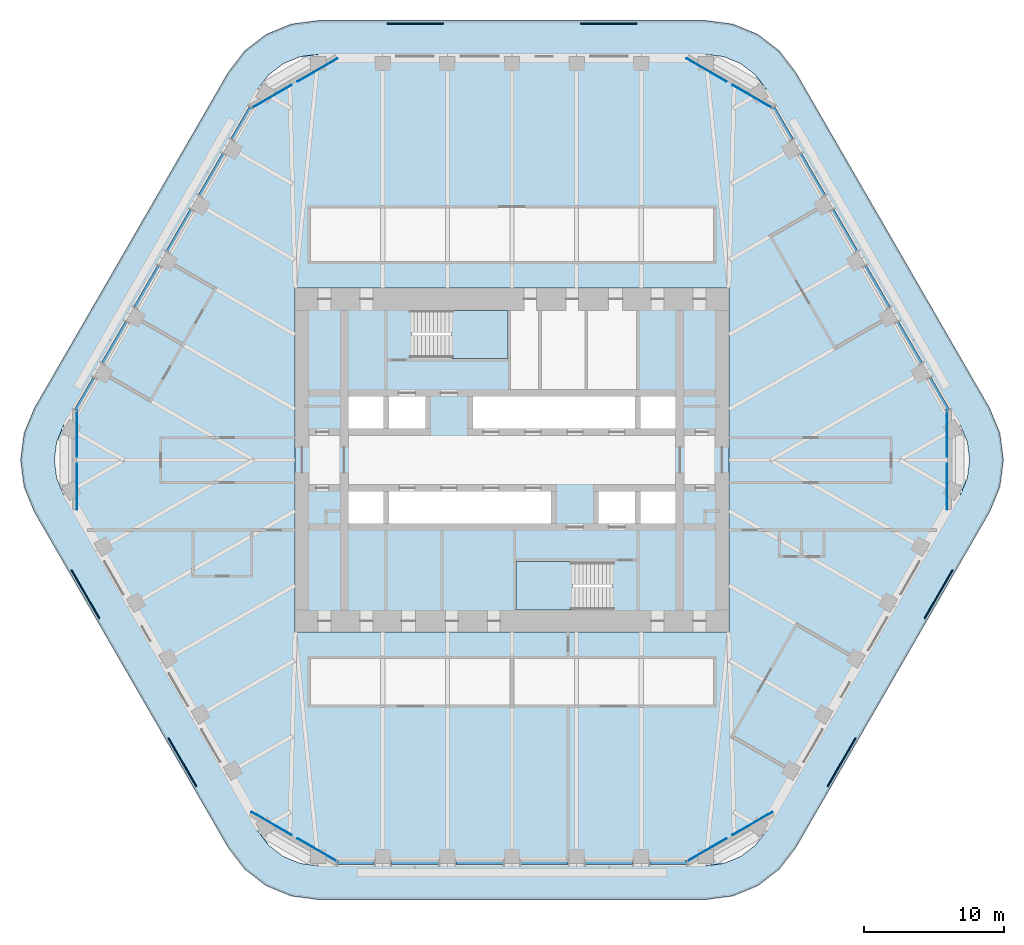
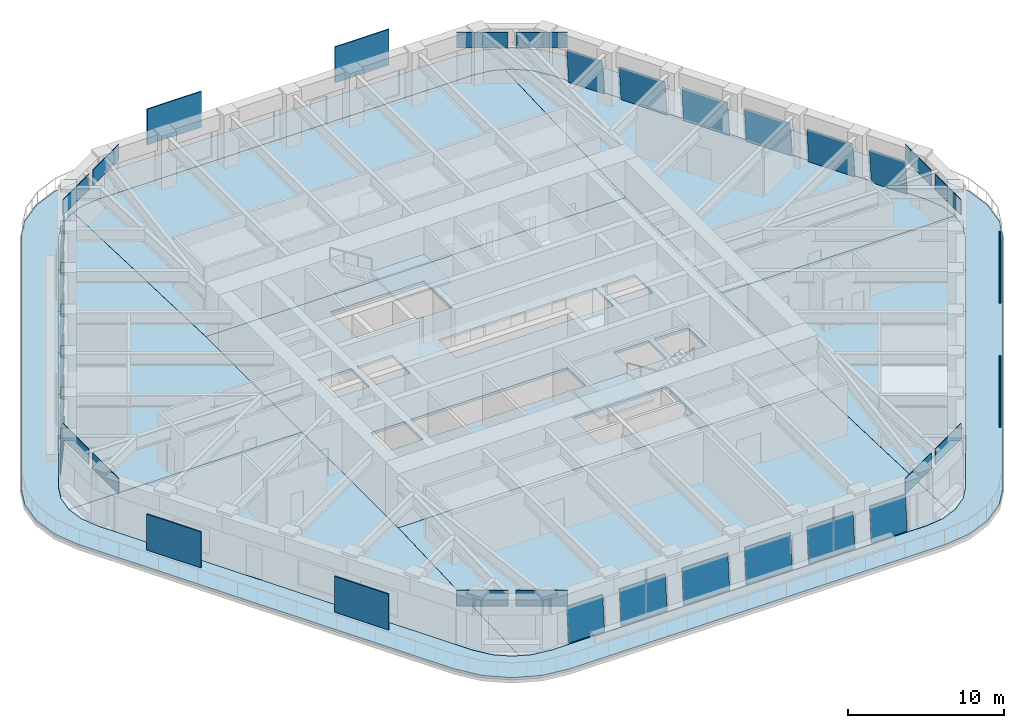
# One storey, part 13 of 20: 36 plates, 10 slabs, 20 elements without a shape of their own.
"""IFC4 building model written with IfcOpenShell, lengths in metres."""

from ifc_helpers import new_model, si_unit, direction, frame, origin, origin_2d, place, context, subcontext, project, spatial, polyline, rectangle, outline, extrude, material, layer, layer_set, type_object, element, aggregate, save


model = new_model("IFC4")

# Units and contexts
model_context = context("Model", 3, precision=1e-05, world=origin(), true_north=direction((0.0, 1.0)))
body_context = subcontext(model_context, "Body", "Model", "MODEL_VIEW")
ifc_project = project(units=[si_unit("LENGTHUNIT", "METRE"), si_unit("AREAUNIT", "SQUARE_METRE"), si_unit("VOLUMEUNIT", "CUBIC_METRE"), si_unit("PLANEANGLEUNIT", "RADIAN"), si_unit("MASSUNIT", "GRAM", prefix="KILO")], contexts=[model_context])

# Site, building, storey
site_placement = place(None, origin())
site = spatial("IfcSite", under=ifc_project, at=site_placement, CompositionType="ELEMENT")
building_placement = place(site_placement, origin())
building = spatial("IfcBuilding", under=site, at=building_placement, Name="Tarfa Lantern Tower", CompositionType="ELEMENT")
storey_placement = place(building_placement, frame((0.0, 0.0, 286.89990234375)))
storey = spatial("IfcBuildingStorey", under=building, at=storey_placement, Name="L65", CompositionType="ELEMENT", Elevation=286.89990234375)

# Slab
ifc_material_1 = material(Name="Concrete C40/50", Category="concrete")
ifc_layer_1 = layer(ifc_material_1, 0.199951171875)
ifc_layer_set_1 = layer_set([ifc_layer_1], Name="BS2 BALCONY SLAB 200")
slab_type_1 = type_object("IfcSlabType", Name="BS2 BALCONY SLAB 200", PredefinedType="FLOOR", material=ifc_layer_set_1)
slab_1_placement = place(storey_placement, frame((0.0, 0.0, -0.199951171875)))
element("IfcSlab", 1, at=slab_1_placement, inside=storey, type_object=slab_type_1, Name="Balcony L65", PredefinedType="FLOOR", context=body_context, shape_type="SweptSolid", body=[
    extrude(outline(polyline([(34.121337890625, 3.699951171875), (20.264892578125, 27.699951171875), (19.089111328125, 29.232666015625), (17.556396484375, 30.40869140625), (15.771728515625, 31.14794921875), (13.8564453125, 31.39990234375), (-13.8564453125, 31.39990234375), (-15.771728515625, 31.14794921875), (-17.556396484375, 30.40869140625), (-19.089111328125, 29.232666015625), (-20.264892578125, 27.699951171875), (-34.121337890625, 3.699951171875), (-34.860595703125, 1.915283203125), (-35.11279296875, 0.0), (-34.860595703125, -1.915283203125), (-34.121337890625, -3.699951171875), (-20.264892578125, -27.699951171875), (-19.089111328125, -29.232666015625), (-17.556396484375, -30.40869140625), (-15.771728515625, -31.14794921875), (-13.8564453125, -31.39990234375), (13.8564453125, -31.39990234375), (15.771728515625, -31.14794921875), (17.556396484375, -30.40869140625), (19.089111328125, -29.232666015625), (20.264892578125, -27.699951171875), (34.121337890625, -3.699951171875), (34.860595703125, -1.915283203125), (35.11279296875, 0.0), (34.860595703125, 1.915283203125), (34.121337890625, 3.699951171875)]), holes=[polyline([(32.04296875, 2.5), (18.1865234375, 26.5), (17.391845703125, 27.53564453125), (16.3564453125, 28.330078125), (15.150390625, 28.82958984375), (13.8564453125, 29.0), (-13.8564453125, 29.0), (-15.150390625, 28.82958984375), (-16.3564453125, 28.330078125), (-17.391845703125, 27.53564453125), (-18.1865234375, 26.5), (-32.04296875, 2.5), (-32.54248046875, 1.294189453125), (-32.712890625, 0.0), (-32.54248046875, -1.294189453125), (-32.04296875, -2.5), (-18.1865234375, -26.5), (-17.391845703125, -27.53564453125), (-16.3564453125, -28.330078125), (-15.150390625, -28.82958984375), (-13.8564453125, -29.0), (13.8564453125, -29.0), (15.150390625, -28.82958984375), (16.3564453125, -28.330078125), (17.391845703125, -27.53564453125), (18.1865234375, -26.5), (32.04296875, -2.5), (32.54248046875, -1.294189453125), (32.712890625, 0.0), (32.54248046875, 1.294189453125), (32.04296875, 2.5)])]), origin(), (0.0, 0.0, 1.0), 0.199951171875),
])

# Curtain wall, plate
ifc_material_2 = material(Name="Aluminium framed curtain wall", Category="aluminium")
curtain_wall_type = type_object("IfcCurtainWallType", Name="CW3 CANTED GLAZING HIGH ZONE 2800", PredefinedType="USERDEFINED", material=ifc_material_2)
curtain_wall_1_placement = place(storey_placement, origin())
curtain_wall_1 = element("IfcCurtainWall", 2, at=curtain_wall_1_placement, inside=storey, type_object=curtain_wall_type, Name="CW3 NE L65", ObjectType="CURTAIN WALL", PredefinedType="USERDEFINED")
ifc_material_3 = material(Name="Laminated double glazing", Category="glass")
ifc_layer_2 = layer(ifc_material_3, 0.028076171875)
ifc_layer_set_2 = layer_set([ifc_layer_2], Name="CWP1 DOUBLE GLAZED PANEL")
plate_type_1 = type_object("IfcPlateType", Name="CWP1 DOUBLE GLAZED PANEL", PredefinedType="CURTAIN_PANEL", material=ifc_layer_set_2)
plate_1_placement = place(storey_placement, frame((31.27392578125, 3.632080078125, 0.0), z_axis=(0.862596006768, 0.498013045463, 0.08894456508), x_axis=(-0.499995010144, 0.866028284653, 3.548924e-06)))
plate_1 = element("IfcPlate", 3, at=plate_1_placement, type_object=plate_type_1, Name="CW3 panel 1.1", PredefinedType="CURTAIN_PANEL", context=body_context, shape_type="SweptSolid", body=[
    extrude(outline(polyline([(0.0, 0.0), (2.63900483458552, 0.0), (2.639010033574038, 2.7459815404063015), (0.00012726808279123097, 2.7460003457631657), (0.0, 0.0)])), origin(), (0.0, 0.0, -1.0), 0.028076171875),
])
aggregate(curtain_wall_1, [plate_1])

curtain_wall_2_placement = place(storey_placement, origin())
curtain_wall_2 = element("IfcCurtainWall", 4, at=curtain_wall_2_placement, inside=storey, type_object=curtain_wall_type, Name="CW3 NE L65", ObjectType="CURTAIN WALL", PredefinedType="USERDEFINED")
plate_2_placement = place(storey_placement, frame((29.33935546875, 6.982666015625, 0.0), z_axis=(0.862606111226, 0.498002363523, 0.08890637098), x_axis=(-0.499982299553, 0.866035622901, 0.0)))
plate_2 = element("IfcPlate", 5, at=plate_2_placement, type_object=plate_type_1, Name="CW3 panel 1.1", PredefinedType="CURTAIN_PANEL", context=body_context, shape_type="SweptSolid", body=[
    extrude(outline(polyline([(0.0, 0.0), (3.3887918412577953, 0.0), (3.3887837504284137, 2.74598154241817), (-8.090829381399156e-06, 2.74598154241817), (0.0, 0.0)])), origin(), (0.0, 0.0, -1.0), 0.028076171875),
])
aggregate(curtain_wall_2, [plate_2])

curtain_wall_3_placement = place(storey_placement, origin())
curtain_wall_3 = element("IfcCurtainWall", 6, at=curtain_wall_3_placement, inside=storey, type_object=curtain_wall_type, Name="CW3 NE L65", ObjectType="CURTAIN WALL", PredefinedType="USERDEFINED")
plate_3_placement = place(storey_placement, frame((27.030029296875, 10.982666015625, 0.0), z_axis=(0.862606111226, 0.498002363523, 0.08890637098), x_axis=(-0.499982299553, 0.866035622901, 0.0)))
plate_3 = element("IfcPlate", 7, at=plate_3_placement, type_object=plate_type_1, Name="CW3 panel 1.1", PredefinedType="CURTAIN_PANEL", context=body_context, shape_type="SweptSolid", body=[
    extrude(outline(polyline([(0.0, 0.0), (3.3887918412577953, 0.0), (3.3887837504284137, 2.74598154241817), (-8.090829381399156e-06, 2.74598154241817), (0.0, 0.0)])), origin(), (0.0, 0.0, -1.0), 0.028076171875),
])
aggregate(curtain_wall_3, [plate_3])

curtain_wall_4_placement = place(storey_placement, origin())
curtain_wall_4 = element("IfcCurtainWall", 8, at=curtain_wall_4_placement, inside=storey, type_object=curtain_wall_type, Name="CW3 NE L65", ObjectType="CURTAIN WALL", PredefinedType="USERDEFINED")
plate_4_placement = place(storey_placement, frame((24.720703125, 14.982666015625, 0.0), z_axis=(0.862587622286, 0.498027567796, 0.088944564725), x_axis=(-0.500009529513, 0.866019901843, 2.763581e-06)))
plate_4 = element("IfcPlate", 9, at=plate_4_placement, type_object=plate_type_1, Name="CW3 panel 1.1", PredefinedType="CURTAIN_PANEL", context=body_context, shape_type="SweptSolid", body=[
    extrude(outline(polyline([(0.0, 0.0), (3.3889139122087784, 5.551115123125783e-17), (3.3889210562595635, 2.7459815404019694), (0.00012921668982732873, 2.746000345672202), (0.0, 0.0)])), origin(), (0.0, 0.0, -1.0), 0.028076171875),
])
aggregate(curtain_wall_4, [plate_4])

curtain_wall_5_placement = place(storey_placement, origin())
curtain_wall_5 = element("IfcCurtainWall", 10, at=curtain_wall_5_placement, inside=storey, type_object=curtain_wall_type, Name="CW3 NE L65", ObjectType="CURTAIN WALL", PredefinedType="USERDEFINED")
plate_5_placement = place(storey_placement, frame((22.4111328125, 18.982666015625, 0.0), z_axis=(0.862606111226, 0.498002363523, 0.08890637098), x_axis=(-0.499982299553, 0.866035622901, 0.0)))
plate_5 = element("IfcPlate", 11, at=plate_5_placement, type_object=plate_type_1, Name="CW3 panel 1.1", PredefinedType="CURTAIN_PANEL", context=body_context, shape_type="SweptSolid", body=[
    extrude(outline(polyline([(0.0, 0.0), (3.3887918412577953, 0.0), (3.3887837504284137, 2.74598154241817), (-8.090829381399156e-06, 2.74598154241817), (0.0, 0.0)])), origin(), (0.0, 0.0, -1.0), 0.028076171875),
])
aggregate(curtain_wall_5, [plate_5])

curtain_wall_6_placement = place(storey_placement, origin())
curtain_wall_6 = element("IfcCurtainWall", 12, at=curtain_wall_6_placement, inside=storey, type_object=curtain_wall_type, Name="CW3 NE L65", ObjectType="CURTAIN WALL", PredefinedType="USERDEFINED")
plate_6_placement = place(storey_placement, frame((20.101806640625, 22.982666015625, 0.0), z_axis=(0.862595873499, 0.498020096195, 0.088906371021), x_axis=(-0.500000102728, 0.866025344474, 0.0)))
plate_6 = element("IfcPlate", 13, at=plate_6_placement, type_object=plate_type_1, Name="CW3 panel 1.1", PredefinedType="CURTAIN_PANEL", context=body_context, shape_type="SweptSolid", body=[
    extrude(outline(polyline([(0.0, 0.0), (2.638671332866802, -2.7755575615628914e-17), (2.638668260778366, 2.7459815424283702), (-3.072088436501354e-06, 2.7459815424283702), (0.0, 0.0)])), origin(), (0.0, 0.0, -1.0), 0.028076171875),
])
aggregate(curtain_wall_6, [plate_6])

curtain_wall_7_placement = place(storey_placement, origin())
curtain_wall_7 = element("IfcCurtainWall", 14, at=curtain_wall_7_placement, inside=storey, type_object=curtain_wall_type, Name="CW3 NW L65", ObjectType="CURTAIN WALL", PredefinedType="USERDEFINED")
plate_7_placement = place(storey_placement, frame((-18.782470703125, 25.267822265625, 0.0), z_axis=(-0.862595873499, 0.498020096195, 0.088906371021), x_axis=(-0.500000102728, -0.866025344474, 0.0)))
plate_7 = element("IfcPlate", 15, at=plate_7_placement, type_object=plate_type_1, Name="CW3 panel 1.1", PredefinedType="CURTAIN_PANEL", context=body_context, shape_type="SweptSolid", body=[
    extrude(outline(polyline([(0.0, 0.0), (2.638671332866802, 2.7755575615628914e-17), (2.6386744049552386, 2.7459815424283702), (3.072088436501354e-06, 2.7459815424283702), (0.0, 0.0)])), origin(), (0.0, 0.0, -1.0), 0.028076171875),
])
aggregate(curtain_wall_7, [plate_7])

curtain_wall_8_placement = place(storey_placement, origin())
curtain_wall_8 = element("IfcCurtainWall", 16, at=curtain_wall_8_placement, inside=storey, type_object=curtain_wall_type, Name="CW3 NW L65", ObjectType="CURTAIN WALL", PredefinedType="USERDEFINED")
plate_8_placement = place(storey_placement, frame((-20.716796875, 21.91748046875, 0.0), z_axis=(-0.862606111226, 0.498002363523, 0.08890637098), x_axis=(-0.499982299553, -0.866035622901, 0.0)))
plate_8 = element("IfcPlate", 17, at=plate_8_placement, type_object=plate_type_1, Name="CW3 panel 1.1", PredefinedType="CURTAIN_PANEL", context=body_context, shape_type="SweptSolid", body=[
    extrude(outline(polyline([(0.0, 0.0), (3.3887918412577953, 0.0), (3.3887999320871764, 2.74598154241817), (8.090829381399156e-06, 2.74598154241817), (0.0, 0.0)])), origin(), (0.0, 0.0, -1.0), 0.028076171875),
])
aggregate(curtain_wall_8, [plate_8])

curtain_wall_9_placement = place(storey_placement, origin())
curtain_wall_9 = element("IfcCurtainWall", 18, at=curtain_wall_9_placement, inside=storey, type_object=curtain_wall_type, Name="CW3 NW L65", ObjectType="CURTAIN WALL", PredefinedType="USERDEFINED")
plate_9_placement = place(storey_placement, frame((-23.026123046875, 17.91748046875, 0.0), z_axis=(-0.862587622286, 0.498027567796, 0.088944564725), x_axis=(-0.500009529513, -0.866019901843, -2.763581e-06)))
plate_9 = element("IfcPlate", 19, at=plate_9_placement, type_object=plate_type_1, Name="CW3 panel 1.1", PredefinedType="CURTAIN_PANEL", context=body_context, shape_type="SweptSolid", body=[
    extrude(outline(polyline([(0.0, 0.0), (3.3889139122087784, -5.551115123125783e-17), (3.3887846955189507, 2.746000345672202), (-7.144050785966382e-06, 2.7459815404019694), (0.0, 0.0)])), origin(), (0.0, 0.0, -1.0), 0.028076171875),
])
aggregate(curtain_wall_9, [plate_9])

curtain_wall_10_placement = place(storey_placement, origin())
curtain_wall_10 = element("IfcCurtainWall", 20, at=curtain_wall_10_placement, inside=storey, type_object=curtain_wall_type, Name="CW3 NW L65", ObjectType="CURTAIN WALL", PredefinedType="USERDEFINED")
plate_10_placement = place(storey_placement, frame((-25.335693359375, 13.91748046875, 0.0), z_axis=(-0.862606111226, 0.498002363523, 0.08890637098), x_axis=(-0.499982299553, -0.866035622901, 0.0)))
plate_10 = element("IfcPlate", 21, at=plate_10_placement, type_object=plate_type_1, Name="CW3 panel 1.1", PredefinedType="CURTAIN_PANEL", context=body_context, shape_type="SweptSolid", body=[
    extrude(outline(polyline([(0.0, 0.0), (3.3887918412577953, 0.0), (3.3887999320871764, 2.74598154241817), (8.090829381399156e-06, 2.74598154241817), (0.0, 0.0)])), origin(), (0.0, 0.0, -1.0), 0.028076171875),
])
aggregate(curtain_wall_10, [plate_10])

curtain_wall_11_placement = place(storey_placement, origin())
curtain_wall_11 = element("IfcCurtainWall", 22, at=curtain_wall_11_placement, inside=storey, type_object=curtain_wall_type, Name="CW3 NW L65", ObjectType="CURTAIN WALL", PredefinedType="USERDEFINED")
plate_11_placement = place(storey_placement, frame((-27.64501953125, 9.91748046875, 0.0), z_axis=(-0.862606111226, 0.498002363523, 0.08890637098), x_axis=(-0.499982299553, -0.866035622901, 0.0)))
plate_11 = element("IfcPlate", 23, at=plate_11_placement, type_object=plate_type_1, Name="CW3 panel 1.1", PredefinedType="CURTAIN_PANEL", context=body_context, shape_type="SweptSolid", body=[
    extrude(outline(polyline([(0.0, 0.0), (3.3887918412577953, 0.0), (3.3887999320871764, 2.74598154241817), (8.090829381399156e-06, 2.74598154241817), (0.0, 0.0)])), origin(), (0.0, 0.0, -1.0), 0.028076171875),
])
aggregate(curtain_wall_11, [plate_11])

curtain_wall_12_placement = place(storey_placement, origin())
curtain_wall_12 = element("IfcCurtainWall", 24, at=curtain_wall_12_placement, inside=storey, type_object=curtain_wall_type, Name="CW3 NW L65", ObjectType="CURTAIN WALL", PredefinedType="USERDEFINED")
plate_12_placement = place(storey_placement, frame((-29.954345703125, 5.91748046875, 0.0), z_axis=(-0.862596006768, 0.498013045463, 0.08894456508), x_axis=(-0.499995010144, -0.866028284653, -3.548924e-06)))
plate_12 = element("IfcPlate", 25, at=plate_12_placement, type_object=plate_type_1, Name="CW3 panel 1.1", PredefinedType="CURTAIN_PANEL", context=body_context, shape_type="SweptSolid", body=[
    extrude(outline(polyline([(0.0, 0.0), (2.63900483458552, 0.0), (2.6388775665027286, 2.7460003457631657), (-5.198988517736766e-06, 2.7459815404063015), (0.0, 0.0)])), origin(), (0.0, 0.0, -1.0), 0.028076171875),
])
aggregate(curtain_wall_12, [plate_12])

curtain_wall_13_placement = place(storey_placement, origin())
curtain_wall_13 = element("IfcCurtainWall", 26, at=curtain_wall_13_placement, inside=storey, type_object=curtain_wall_type, Name="CW3 S L65", ObjectType="CURTAIN WALL", PredefinedType="USERDEFINED")
plate_13_placement = place(storey_placement, frame((-12.491455078125, -28.89990234375, 0.0), z_axis=(0.0, -0.996039814532, 0.088908311571), x_axis=(1.0, 0.0, 0.0)))
plate_13 = element("IfcPlate", 27, at=plate_13_placement, type_object=plate_type_1, Name="CW3 panel 1.1", PredefinedType="CURTAIN_PANEL", context=body_context, shape_type="SweptSolid", body=[
    extrude(outline(polyline([(0.0, 0.0), (2.638916015625, 0.0), (2.638916015625, 2.7459820199650076), (0.0, 2.7459820199650076), (0.0, 0.0)])), origin(), (0.0, 0.0, -1.0), 0.028076171875),
])
aggregate(curtain_wall_13, [plate_13])

curtain_wall_14_placement = place(storey_placement, origin())
curtain_wall_14 = element("IfcCurtainWall", 28, at=curtain_wall_14_placement, inside=storey, type_object=curtain_wall_type, Name="CW3 S L65", ObjectType="CURTAIN WALL", PredefinedType="USERDEFINED")
plate_14_placement = place(storey_placement, frame((-8.62255859375, -28.89990234375, 0.0), z_axis=(0.0, -0.996039814532, 0.088908311571), x_axis=(1.0, 0.0, 0.0)))
plate_14 = element("IfcPlate", 29, at=plate_14_placement, type_object=plate_type_1, Name="CW3 panel 1.1", PredefinedType="CURTAIN_PANEL", context=body_context, shape_type="SweptSolid", body=[
    extrude(outline(polyline([(0.0, 0.0), (3.388671875, 0.0), (3.388671875, 2.745982019965007), (0.0, 2.745982019965007), (0.0, 0.0)])), origin(), (0.0, 0.0, -1.0), 0.028076171875),
])
aggregate(curtain_wall_14, [plate_14])

curtain_wall_15_placement = place(storey_placement, origin())
curtain_wall_15 = element("IfcCurtainWall", 30, at=curtain_wall_15_placement, inside=storey, type_object=curtain_wall_type, Name="CW3 S L65", ObjectType="CURTAIN WALL", PredefinedType="USERDEFINED")
plate_15_placement = place(storey_placement, frame((-4.00390625, -28.89990234375, 0.0), z_axis=(0.0, -0.996039814532, 0.088908311571), x_axis=(1.0, 0.0, 0.0)))
plate_15 = element("IfcPlate", 31, at=plate_15_placement, type_object=plate_type_1, Name="CW3 panel 1.1", PredefinedType="CURTAIN_PANEL", context=body_context, shape_type="SweptSolid", body=[
    extrude(outline(polyline([(0.0, 0.0), (3.388916015625, 0.0), (3.388916015625, 2.745982019965007), (0.0, 2.745982019965007), (0.0, 0.0)])), origin(), (0.0, 0.0, -1.0), 0.028076171875),
])
aggregate(curtain_wall_15, [plate_15])

curtain_wall_16_placement = place(storey_placement, origin())
curtain_wall_16 = element("IfcCurtainWall", 32, at=curtain_wall_16_placement, inside=storey, type_object=curtain_wall_type, Name="CW3 S L65", ObjectType="CURTAIN WALL", PredefinedType="USERDEFINED")
plate_16_placement = place(storey_placement, frame((0.614990234375, -28.89990234375, 0.0), z_axis=(0.0, -0.996039814532, 0.088908311571), x_axis=(1.0, 0.0, 0.0)))
plate_16 = element("IfcPlate", 33, at=plate_16_placement, type_object=plate_type_1, Name="CW3 panel 1.1", PredefinedType="CURTAIN_PANEL", context=body_context, shape_type="SweptSolid", body=[
    extrude(outline(polyline([(0.0, 0.0), (3.388916015625, 0.0), (3.388916015625, 2.745982019965007), (0.0, 2.745982019965007), (0.0, 0.0)])), origin(), (0.0, 0.0, -1.0), 0.028076171875),
])
aggregate(curtain_wall_16, [plate_16])

curtain_wall_17_placement = place(storey_placement, origin())
curtain_wall_17 = element("IfcCurtainWall", 34, at=curtain_wall_17_placement, inside=storey, type_object=curtain_wall_type, Name="CW3 S L65", ObjectType="CURTAIN WALL", PredefinedType="USERDEFINED")
plate_17_placement = place(storey_placement, frame((5.23388671875, -28.89990234375, 0.0), z_axis=(0.0, -0.996039814532, 0.088908311571), x_axis=(1.0, 0.0, 0.0)))
plate_17 = element("IfcPlate", 35, at=plate_17_placement, type_object=plate_type_1, Name="CW3 panel 1.1", PredefinedType="CURTAIN_PANEL", context=body_context, shape_type="SweptSolid", body=[
    extrude(outline(polyline([(0.0, 0.0), (3.388671875, 0.0), (3.388671875, 2.745982019965007), (0.0, 2.745982019965007), (0.0, 0.0)])), origin(), (0.0, 0.0, -1.0), 0.028076171875),
])
aggregate(curtain_wall_17, [plate_17])

curtain_wall_18_placement = place(storey_placement, origin())
curtain_wall_18 = element("IfcCurtainWall", 36, at=curtain_wall_18_placement, inside=storey, type_object=curtain_wall_type, Name="CW3 S L65", ObjectType="CURTAIN WALL", PredefinedType="USERDEFINED")
plate_18_placement = place(storey_placement, frame((9.8525390625, -28.89990234375, 0.0), z_axis=(0.0, -0.996039814532, 0.088908311571), x_axis=(1.0, 0.0, 0.0)))
plate_18 = element("IfcPlate", 37, at=plate_18_placement, type_object=plate_type_1, Name="CW3 panel 1.1", PredefinedType="CURTAIN_PANEL", context=body_context, shape_type="SweptSolid", body=[
    extrude(outline(polyline([(0.0, 0.0), (2.638916015625, 0.0), (2.638916015625, 2.7459820199650076), (0.0, 2.7459820199650076), (0.0, 0.0)])), origin(), (0.0, 0.0, -1.0), 0.028076171875),
])
aggregate(curtain_wall_18, [plate_18])

# Slabs
ifc_layer_3 = layer(ifc_material_1, 0.199951171875)
ifc_layer_set_3 = layer_set([ifc_layer_3], Name="FS1 FLOOR SLAB 200")
slab_type_2 = type_object("IfcSlabType", Name="FS1 FLOOR SLAB 200", PredefinedType="FLOOR", material=ifc_layer_set_3)
slab_2_placement = place(storey_placement, frame((0.0, 0.0, -0.199951171875)))
element("IfcSlab", 38, at=slab_2_placement, inside=storey, type_object=slab_type_2, Name="Floor slab L65", PredefinedType="FLOOR", context=body_context, shape_type="SweptSolid", body=[
    extrude(outline(polyline([(-15.5, -12.300048828125), (15.5, -12.300048828125), (15.5, 12.300048828125), (-15.5, 12.300048828125), (-15.5, -12.300048828125)]), holes=[polyline([(-11.699951171875, 2.25), (-9.199951171875, 2.25), (-9.199951171875, 4.550048828125), (-11.699951171875, 4.550048828125), (-11.699951171875, 2.25)]), polyline([(-8.800048828125, 2.25), (-6.199951171875, 2.25), (-6.199951171875, 4.550048828125), (-8.800048828125, 4.550048828125), (-8.800048828125, 2.25)]), polyline([(-2.800048828125, 2.25), (8.800048828125, 2.25), (8.800048828125, 4.550048828125), (-2.800048828125, 4.550048828125), (-2.800048828125, 2.25)]), polyline([(9.199951171875, 2.25), (11.699951171875, 2.25), (11.699951171875, 4.550048828125), (9.199951171875, 4.550048828125), (9.199951171875, 2.25)]), polyline([(11.699951171875, -2.25), (9.199951171875, -2.25), (9.199951171875, -4.550048828125), (11.699951171875, -4.550048828125), (11.699951171875, -2.25)]), polyline([(8.800048828125, -2.25), (6.199951171875, -2.25), (6.199951171875, -4.550048828125), (8.800048828125, -4.550048828125), (8.800048828125, -2.25)]), polyline([(2.800048828125, -2.25), (-8.800048828125, -2.25), (-8.800048828125, -4.550048828125), (2.800048828125, -4.550048828125), (2.800048828125, -2.25)]), polyline([(-9.199951171875, -2.25), (-11.699951171875, -2.25), (-11.699951171875, -4.550048828125), (-9.199951171875, -4.550048828125), (-9.199951171875, -2.25)]), polyline([(-7.199951171875, 7.25), (-0.300048828125, 7.25), (-0.300048828125, 10.699951171875), (-7.199951171875, 10.699951171875), (-7.199951171875, 7.25)]), polyline([(7.199951171875, -7.25), (0.300048828125, -7.25), (0.300048828125, -10.699951171875), (7.199951171875, -10.699951171875), (7.199951171875, -7.25)])]), origin(), (0.0, 0.0, 1.0), 0.199951171875),
])
slab_3_placement = place(storey_placement, frame((0.0, 0.0, -0.199951171875)))
element("IfcSlab", 39, at=slab_3_placement, inside=storey, type_object=slab_type_2, Name="Floor slab L65 NE bay", PredefinedType="FLOOR", context=body_context, shape_type="SweptSolid", body=[
    extrude(outline(polyline([(32.041259765625, 2.4990234375), (18.184814453125, 26.498779296875), (17.390625, 27.5341796875), (16.35546875, 28.328369140625), (15.927490234375, 28.505615234375), (15.501953125, 12.300048828125), (15.501953125, 0.001953125), (32.71044921875, 0.001953125), (32.54052734375, 1.29345703125), (32.041259765625, 2.4990234375)])), origin(), (0.0, 0.0, 1.0), 0.199951171875),
])
slab_4_placement = place(storey_placement, frame((0.0, 0.0, -0.199951171875)))
element("IfcSlab", 40, at=slab_4_placement, inside=storey, type_object=slab_type_2, Name="Floor slab L65 N bay", PredefinedType="FLOOR", context=body_context, shape_type="SweptSolid", body=[
    extrude(outline(polyline([(-15.498046875, 12.302001953125), (15.498046875, 12.302001953125), (15.923583984375, 28.50732421875), (15.14990234375, 28.82763671875), (13.856201171875, 28.998046875), (-13.856201171875, 28.998046875), (-15.14990234375, 28.82763671875), (-15.923583984375, 28.50732421875), (-15.498046875, 12.302001953125)])), origin(), (0.0, 0.0, 1.0), 0.199951171875),
])
slab_5_placement = place(storey_placement, frame((0.0, 0.0, -0.199951171875)))
element("IfcSlab", 41, at=slab_5_placement, inside=storey, type_object=slab_type_2, Name="Floor slab L65 NW bay", PredefinedType="FLOOR", context=body_context, shape_type="SweptSolid", body=[
    extrude(outline(polyline([(-15.501953125, 0.001953125), (-15.501953125, 12.300048828125), (-15.927490234375, 28.505615234375), (-16.35546875, 28.328369140625), (-17.390625, 27.5341796875), (-18.184814453125, 26.498779296875), (-32.041259765625, 2.4990234375), (-32.54052734375, 1.29345703125), (-32.71044921875, 0.001953125), (-15.501953125, 0.001953125)])), origin(), (0.0, 0.0, 1.0), 0.199951171875),
])
slab_6_placement = place(storey_placement, frame((0.0, 0.0, -0.199951171875)))
element("IfcSlab", 42, at=slab_6_placement, inside=storey, type_object=slab_type_2, Name="Floor slab L65 SW bay", PredefinedType="FLOOR", context=body_context, shape_type="SweptSolid", body=[
    extrude(outline(polyline([(-15.501953125, -12.300048828125), (-15.501953125, -0.001953125), (-32.71044921875, -0.001953125), (-32.54052734375, -1.29345703125), (-32.041259765625, -2.4990234375), (-18.184814453125, -26.498779296875), (-17.390625, -27.5341796875), (-16.35546875, -28.328369140625), (-15.927490234375, -28.505615234375), (-15.501953125, -12.300048828125)])), origin(), (0.0, 0.0, 1.0), 0.199951171875),
])
slab_7_placement = place(storey_placement, frame((0.0, 0.0, -0.199951171875)))
element("IfcSlab", 43, at=slab_7_placement, inside=storey, type_object=slab_type_2, Name="Floor slab L65 S bay", PredefinedType="FLOOR", context=body_context, shape_type="SweptSolid", body=[
    extrude(outline(polyline([(15.498046875, -12.302001953125), (-15.498046875, -12.302001953125), (-15.923583984375, -28.50732421875), (-15.14990234375, -28.82763671875), (-13.856201171875, -28.998046875), (13.856201171875, -28.998046875), (15.14990234375, -28.82763671875), (15.923583984375, -28.50732421875), (15.498046875, -12.302001953125)])), origin(), (0.0, 0.0, 1.0), 0.199951171875),
])
slab_8_placement = place(storey_placement, frame((0.0, 0.0, -0.199951171875)))
element("IfcSlab", 44, at=slab_8_placement, inside=storey, type_object=slab_type_2, Name="Floor slab L65 SE bay", PredefinedType="FLOOR", context=body_context, shape_type="SweptSolid", body=[
    extrude(outline(polyline([(15.501953125, -0.001953125), (15.501953125, -12.300048828125), (15.927490234375, -28.505615234375), (16.35546875, -28.328369140625), (17.390625, -27.5341796875), (18.184814453125, -26.498779296875), (32.041259765625, -2.4990234375), (32.54052734375, -1.29345703125), (32.71044921875, -0.001953125), (15.501953125, -0.001953125)])), origin(), (0.0, 0.0, 1.0), 0.199951171875),
])

# Plates
ifc_material_4 = material(Name="Aluminium fascia panel", Category="aluminium")
ifc_layer_4 = layer(ifc_material_4, 0.050048828125)
ifc_layer_set_4 = layer_set([ifc_layer_4], Name="LF1 LOGGIA HEAD FASCIA 50")
plate_type_2 = type_object("IfcPlateType", Name="LF1 LOGGIA HEAD FASCIA 50", PredefinedType="USERDEFINED", material=ifc_layer_set_4)
for number, where, z_axis, x_axis, name in (
    (45, (17.18994140625, 25.972900390625, 2.80029296875), (0.0, 0.0, 1.0), (-0.866025403784, 0.5, 0.0), "Garden head fascia NE-N"),
    (46, (13.898193359375, 27.873291015625, 2.80029296875), (0.0, 0.0, 1.0), (-0.866025403784, 0.5, 0.0), "Garden head fascia NE-N"),
    (47, (-13.898193359375, 27.873291015625, 2.80029296875), (0.0, 0.0, 1.0), (-0.866025403784, -0.5, 0.0), "Garden head fascia N-NW"),
    (48, (-17.18994140625, 25.972900390625, 2.80029296875), (0.0, 0.0, 1.0), (-0.866025403784, -0.5, 0.0), "Garden head fascia N-NW"),
    (49, (-31.088134765625, 1.900390625, 2.80029296875), (0.0, 0.0, 1.0), (0.0, -1.0, 0.0), "Garden head fascia NW-SW"),
    (50, (-31.088134765625, -1.900390625, 2.80029296875), (0.0, 0.0, 1.0), (0.0, -1.0, 0.0), "Garden head fascia NW-SW"),
    (51, (-17.18994140625, -25.972900390625, 2.80029296875), (0.0, 0.0, 1.0), (0.866025403784, -0.5, 0.0), "Garden head fascia SW-S"),
    (52, (-13.898193359375, -27.873291015625, 2.80029296875), (0.0, 0.0, 1.0), (0.866025403784, -0.5, 0.0), "Garden head fascia SW-S"),
    (53, (13.898193359375, -27.873291015625, 2.80029296875), (0.0, 0.0, 1.0), (0.866025403784, 0.5, 0.0), "Garden head fascia S-SE"),
    (54, (17.18994140625, -25.972900390625, 2.80029296875), (0.0, 0.0, 1.0), (0.866025403784, 0.5, 0.0), "Garden head fascia S-SE"),
    (55, (31.088134765625, -1.900390625, 2.80029296875), (0.0, 0.0, 1.0), (0.0, 1.0, 0.0), "Garden head fascia SE-NE"),
    (56, (31.088134765625, 1.900390625, 2.80029296875), (0.0, 0.0, 1.0), (0.0, 1.0, 0.0), "Garden head fascia SE-NE"),
):
    element("IfcPlate", number, at=place(storey_placement, frame(where, z_axis=z_axis, x_axis=x_axis)), inside=storey, type_object=plate_type_2, Name=name, ObjectType="FASCIA", PredefinedType="USERDEFINED", context=body_context, shape_type="SweptSolid", body=[
        extrude(rectangle(XDim=3.30078125, YDim=0.050048828125, at=origin_2d()), origin(), (0.0, 0.0, 1.0), 1.199951171875),
    ])
ifc_material_5 = material(Name="Perforated limestone screen", Category="masonry")
ifc_layer_5 = layer(ifc_material_5, 0.080078125)
ifc_layer_set_5 = layer_set([ifc_layer_5], Name="SC1 STONE SCREEN 80")
plate_type_3 = type_object("IfcPlateType", Name="SC1 STONE SCREEN 80", PredefinedType="USERDEFINED", material=ifc_layer_set_5)
for number, where, z_axis, x_axis, name in (
    (57, (6.92822265625, 31.199951171875, 1.2001953125), (0.0, 0.0, 1.0), (-1.0, 0.0, 0.0), "Stone screen N 1"),
    (58, (-6.92822265625, 31.199951171875, 1.2001953125), (0.0, 0.0, 1.0), (-1.0, 0.0, 0.0), "Stone screen N 2"),
    (59, (-30.484130859375, -9.60009765625, 1.2001953125), (0.0, 0.0, 1.0), (0.5, -0.866025403784, 0.0), "Stone screen SW 1"),
    (60, (-23.555908203125, -21.60009765625, 1.2001953125), (0.0, 0.0, 1.0), (0.5, -0.866025403784, 0.0), "Stone screen SW 2"),
    (61, (23.555908203125, -21.60009765625, 1.2001953125), (0.0, 0.0, 1.0), (0.5, 0.866025403784, 0.0), "Stone screen SE 1"),
    (62, (30.484130859375, -9.60009765625, 1.2001953125), (0.0, 0.0, 1.0), (0.5, 0.866025403784, 0.0), "Stone screen SE 2"),
):
    element("IfcPlate", number, at=place(storey_placement, frame(where, z_axis=z_axis, x_axis=x_axis)), inside=storey, type_object=plate_type_3, Name=name, ObjectType="SCREEN", PredefinedType="USERDEFINED", context=body_context, shape_type="SweptSolid", body=[
        extrude(rectangle(XDim=4.0, YDim=0.080078125, at=origin_2d()), origin(), (0.0, 0.0, 1.0), 2.800048828125),
    ])

# Stair, slab
stair_type = type_object("IfcStairType", Name="ST-T10 HALF-TURN STAIR 4200 RISE", PredefinedType="HALF_TURN_STAIR", material=ifc_material_1)
stair_1_placement = place(storey_placement, origin())
stair_1 = element("IfcStair", 63, at=stair_1_placement, inside=storey, type_object=stair_type, Name="Stair ST1", PredefinedType="HALF_TURN_STAIR")
ifc_layer_6 = layer(ifc_material_1, 0.199951171875)
ifc_layer_set_6 = layer_set([ifc_layer_6], Name="SL1 STAIR LANDING 200")
slab_type_3 = type_object("IfcSlabType", Name="SL1 STAIR LANDING 200", PredefinedType="LANDING", material=ifc_layer_set_6)
slab_9_placement = place(storey_placement, frame((0.0, 0.0, 1.900146484375)))
slab_9 = element("IfcSlab", 64, at=slab_9_placement, type_object=slab_type_3, Name="ST1 landing 1", PredefinedType="LANDING", context=body_context, shape_type="SweptSolid", body=[
    extrude(outline(polyline([(-4.320068359375, 7.25), (-0.300048828125, 7.25), (-0.300048828125, 10.699951171875), (-4.320068359375, 10.699951171875), (-4.320068359375, 7.25)])), origin(), (0.0, 0.0, 1.0), 0.199951171875),
])
aggregate(stair_1, [slab_9])

stair_2_placement = place(storey_placement, origin())
stair_2 = element("IfcStair", 65, at=stair_2_placement, inside=storey, type_object=stair_type, Name="Stair ST2", PredefinedType="HALF_TURN_STAIR")
slab_10_placement = place(storey_placement, frame((0.0, 0.0, 1.900146484375)))
slab_10 = element("IfcSlab", 66, at=slab_10_placement, type_object=slab_type_3, Name="ST2 landing 1", PredefinedType="LANDING", context=body_context, shape_type="SweptSolid", body=[
    extrude(outline(polyline([(4.320068359375, -7.25), (0.300048828125, -7.25), (0.300048828125, -10.699951171875), (4.320068359375, -10.699951171875), (4.320068359375, -7.25)])), origin(), (0.0, 0.0, 1.0), 0.199951171875),
])
aggregate(stair_2, [slab_10])

save(model, "model.ifc")
